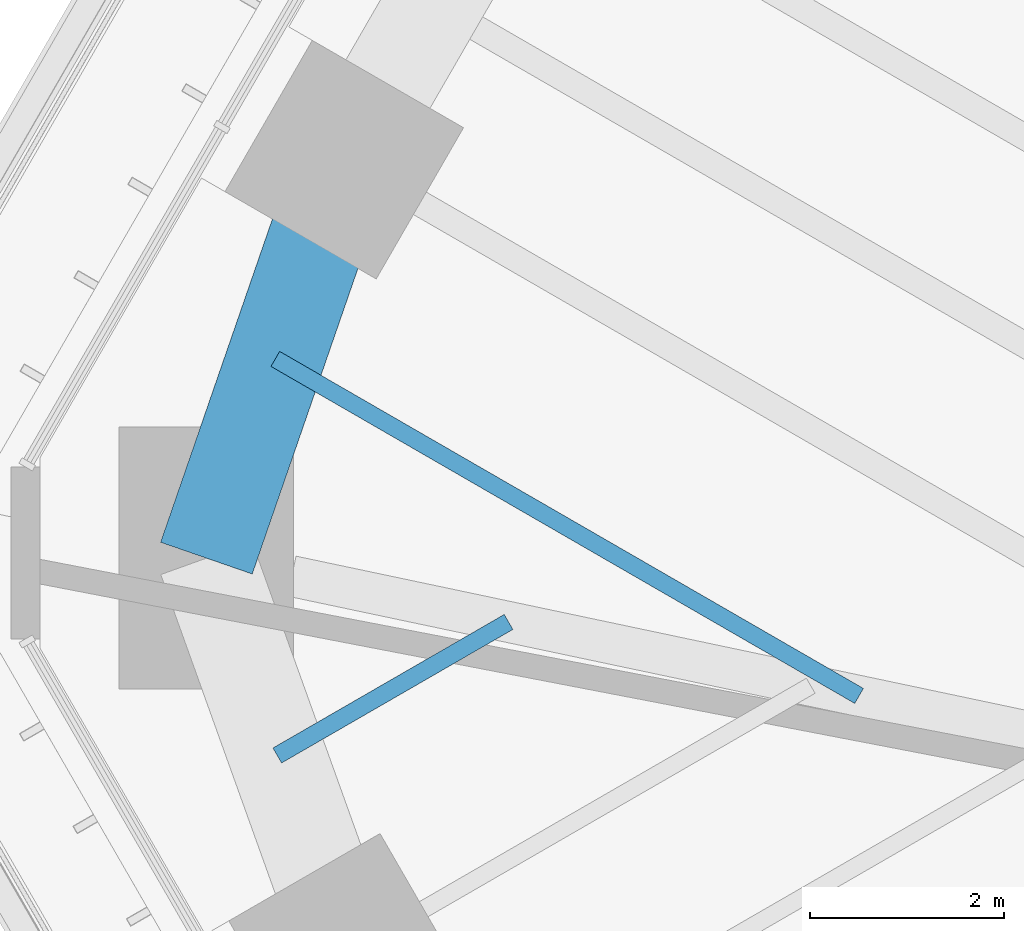
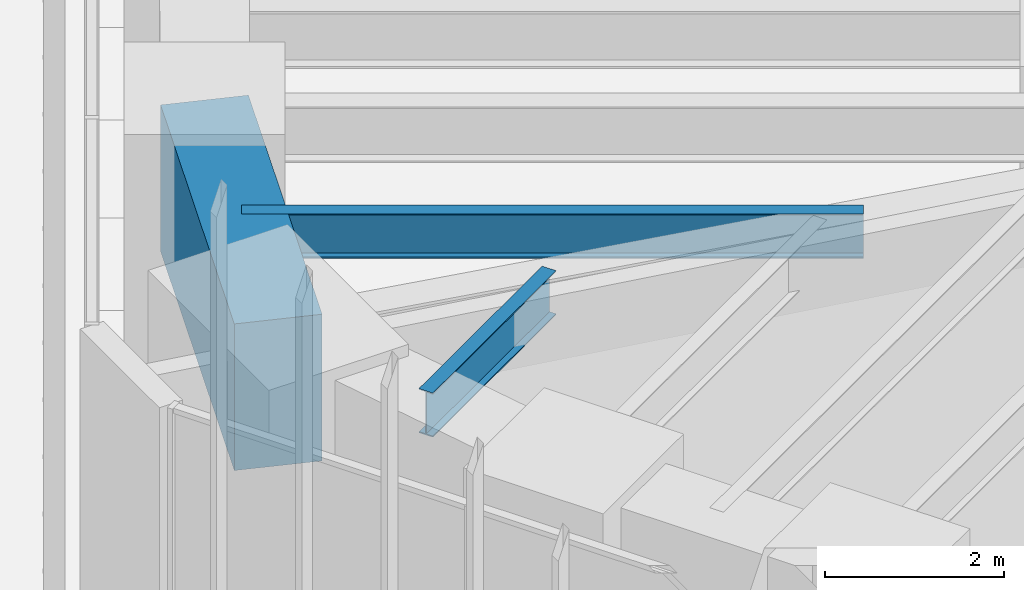
# One storey, part 132 of 228: 3 beams.
"""IFC4 building model written with IfcOpenShell, lengths in metres."""

from ifc_helpers import new_model, si_unit, direction, frame, origin, origin_2d, place, context, subcontext, project, spatial, rectangle, i_section, extrude, material, material_profile, profile_set, type_object, element, save


model = new_model("IFC4")

# Units and contexts
model_context = context("Model", 3, precision=1e-05, world=origin(), true_north=direction((0.0, 1.0)))
body_context = subcontext(model_context, "Body", "Model", "MODEL_VIEW")
ifc_project = project(units=[si_unit("LENGTHUNIT", "METRE"), si_unit("AREAUNIT", "SQUARE_METRE"), si_unit("VOLUMEUNIT", "CUBIC_METRE"), si_unit("PLANEANGLEUNIT", "RADIAN"), si_unit("MASSUNIT", "GRAM", prefix="KILO")], contexts=[model_context])

# Site, building, storey
site_placement = place(None, origin())
site = spatial("IfcSite", under=ifc_project, at=site_placement, CompositionType="ELEMENT")
building_placement = place(site_placement, origin())
building = spatial("IfcBuilding", under=site, at=building_placement, Name="Sandreach Pilgrim Tower", CompositionType="ELEMENT")
storey_placement = place(building_placement, frame((0.0, 0.0, 178.199951171875)))
storey = spatial("IfcBuildingStorey", under=building, at=storey_placement, Name="L44", CompositionType="ELEMENT", Elevation=178.199951171875)

# Beams
ifc_material_1 = material(Name="Steel ASTM A992 Grade 50", Category="steel")
ifc_material_profile_1 = material_profile(ifc_material_1, i_section(OverallWidth=0.1787109375, OverallDepth=0.60205078125, WebThickness=0.010986328125, FlangeThickness=0.014892578125, at=origin_2d()), Name="W24X62")
ifc_profile_set_1 = profile_set([ifc_material_profile_1], Name="Steel ASTM A992 Grade 50")
beam_type_1 = type_object("IfcBeamType", Name="Floor beam W24X62", PredefinedType="BEAM", material=ifc_profile_set_1)
beam_1_placement = place(storey_placement, frame((-24.42626953125, 3.27685546875, 4.5390625), z_axis=(0.866046803606, 0.49996293259, 0.0), x_axis=(-0.49996293259, 0.866046803606, 0.0)))
element("IfcBeam", 1, at=beam_1_placement, inside=storey, type_object=beam_type_1, Name="BM L44 FM34", PredefinedType="BEAM", context=body_context, shape_type="SweptSolid", body=[
    extrude(i_section(OverallWidth=0.1787109375, OverallDepth=0.60205078125, WebThickness=0.010986328125, FlangeThickness=0.014892578125, at=origin_2d()), origin(), (0.0, 0.0, 1.0), 2.753662109375),
])
beam_2_placement = place(storey_placement, frame((-24.446044921875, 7.365234375, 4.5390625), z_axis=(0.866029381593, -0.499993110171, 0.0), x_axis=(0.499993110171, 0.866029381593, 0.0)))
element("IfcBeam", 2, at=beam_2_placement, inside=storey, type_object=beam_type_1, Name="BM L44 FM35", PredefinedType="BEAM", context=body_context, shape_type="SweptSolid", body=[
    extrude(i_section(OverallWidth=0.1787109375, OverallDepth=0.60205078125, WebThickness=0.010986328125, FlangeThickness=0.014892578125, at=origin_2d()), origin(), (0.0, 0.0, 1.0), 6.94921875),
])
ifc_material_2 = material(Name="Concrete 10000 psi", Category="concrete")
ifc_material_profile_2 = material_profile(ifc_material_2, rectangle(XDim=1.0, YDim=2.0, at=origin_2d()), Name="RC1000X2000")
ifc_profile_set_2 = profile_set([ifc_material_profile_2], Name="Concrete 10000 psi")
beam_type_2 = type_object("IfcBeamType", Name="Spandrel beam RC1000X2000", PredefinedType="SPANDREL", material=ifc_profile_set_2)
beam_3_placement = place(storey_placement, frame((-25.156494140625, 5.311279296875, 3.840087890625), z_axis=(0.326940800053, 0.945044820768, 0.0), x_axis=(-0.945044820768, 0.326940800053, 0.0)))
element("IfcBeam", 3, at=beam_3_placement, inside=storey, type_object=beam_type_2, Name="BM L44 SP35", PredefinedType="SPANDREL", context=body_context, shape_type="SweptSolid", body=[
    extrude(rectangle(XDim=1.0, YDim=2.0, at=origin_2d()), origin(), (0.0, 0.0, 1.0), 4.3466796875),
])

save(model, "model.ifc")
